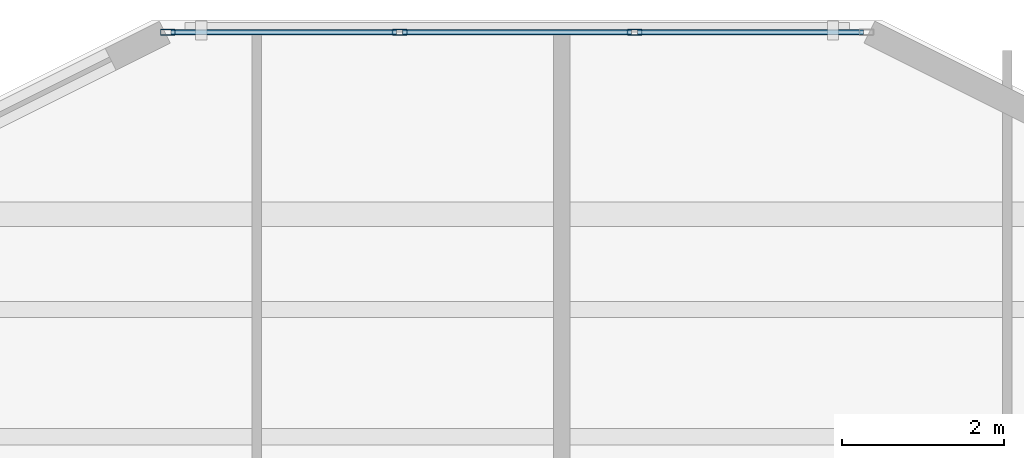
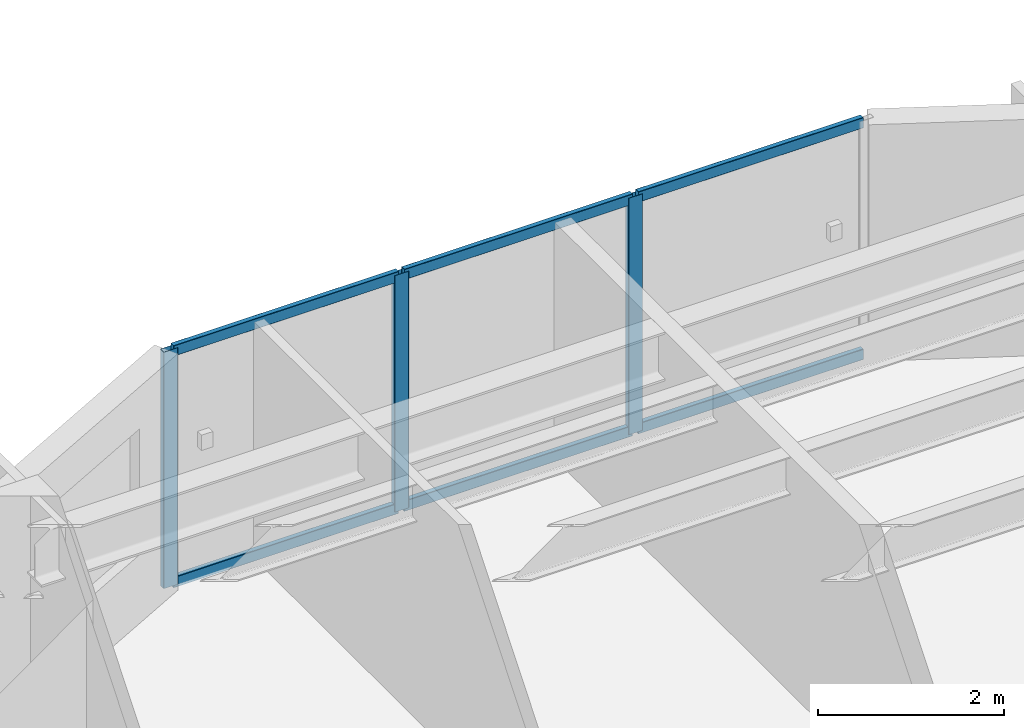
# One storey, part 6 of 22: 9 members, 1 element without a shape of its own.
"""IFC4 building model written with IfcOpenShell, lengths in metres."""

from ifc_helpers import new_model, si_unit, direction, frame, origin, origin_2d, place, context, subcontext, project, spatial, hollow_rectangle, extrude, material, layer, layer_set, material_profile, profile_set, type_object, element, aggregate, save


model = new_model("IFC4")

# Units and contexts
model_context = context("Model", 3, precision=1e-05, world=origin(), true_north=direction((0.0, 1.0)))
body_context = subcontext(model_context, "Body", "Model", "MODEL_VIEW")
ifc_project = project(units=[si_unit("LENGTHUNIT", "METRE"), si_unit("AREAUNIT", "SQUARE_METRE"), si_unit("VOLUMEUNIT", "CUBIC_METRE"), si_unit("PLANEANGLEUNIT", "RADIAN"), si_unit("MASSUNIT", "GRAM", prefix="KILO")], contexts=[model_context])

# Site, building, storey
site_placement = place(None, origin())
site = spatial("IfcSite", under=ifc_project, at=site_placement, CompositionType="ELEMENT")
building_placement = place(site_placement, origin())
building = spatial("IfcBuilding", under=site, at=building_placement, Name="Tarnavaz Court Tower", CompositionType="ELEMENT")
storey_placement = place(building_placement, frame((0.0, 0.0, 27.35009765625)))
storey = spatial("IfcBuildingStorey", under=building, at=storey_placement, Name="L06", CompositionType="ELEMENT", Elevation=27.35009765625)

# Curtain wall, members
ifc_material_1 = material(Name="Anodised Aluminium 6063-T6 and Solar Low-E Glazing", Category="aluminium")
ifc_layer = layer(ifc_material_1, 0.179931640625)
ifc_layer_set = layer_set([ifc_layer], Name="Anodised Aluminium 6063-T6 and Solar Low-E Glazing")
curtain_wall_type = type_object("IfcCurtainWallType", Name="CW-SYS-02", PredefinedType="NOTDEFINED", material=ifc_layer_set)
curtain_wall_placement = place(storey_placement, origin())
curtain_wall = element("IfcCurtainWall", 1, at=curtain_wall_placement, inside=storey, type_object=curtain_wall_type, Name="L06 Iwan Prow Curtain Wall 7", PredefinedType="NOTDEFINED")
ifc_material_2 = material(Name="Anodised Aluminium 6063-T6", Category="aluminium")
ifc_material_profile_1 = material_profile(ifc_material_2, hollow_rectangle(XDim=0.074951171875, YDim=0.179931640625, WallThickness=0.0048828125, InnerFilletRadius=0.0048828125, OuterFilletRadius=0.010009765625, at=origin_2d()), Name="ALU RHS 180X75X5")
ifc_profile_set_1 = profile_set([ifc_material_profile_1], Name="Anodised Aluminium 6063-T6")
member_type_1 = type_object("IfcMemberType", Name="CW-MUL-180", PredefinedType="MULLION", material=ifc_profile_set_1)
member_1_placement = place(storey_placement, frame((-4.3125, 25.050048828125, 0.0), z_axis=(0.0, 0.0, 1.0), x_axis=(0.0, 1.0, 0.0)))
member_1 = element("IfcMember", 2, at=member_1_placement, type_object=member_type_1, Name="CW mullion 1", PredefinedType="MULLION", context=body_context, shape_type="SweptSolid", body=[
    extrude(hollow_rectangle(XDim=0.074951171875, YDim=0.179931640625, WallThickness=0.0048828125, InnerFilletRadius=0.0048828125, OuterFilletRadius=0.010009765625, at=origin_2d()), origin(), (0.0, 0.0, 1.0), 3.099853515625),
])
member_2_placement = place(storey_placement, frame((-1.449951171875, 25.050048828125, 0.0), z_axis=(0.0, 0.0, 1.0), x_axis=(0.0, 1.0, 0.0)))
member_2 = element("IfcMember", 3, at=member_2_placement, type_object=member_type_1, Name="CW mullion 2", PredefinedType="MULLION", context=body_context, shape_type="SweptSolid", body=[
    extrude(hollow_rectangle(XDim=0.074951171875, YDim=0.179931640625, WallThickness=0.0048828125, InnerFilletRadius=0.0048828125, OuterFilletRadius=0.010009765625, at=origin_2d()), origin(), (0.0, 0.0, 1.0), 3.099853515625),
])
member_3_placement = place(storey_placement, frame((1.449951171875, 25.050048828125, 0.0), z_axis=(0.0, 0.0, 1.0), x_axis=(0.0, 1.0, 0.0)))
member_3 = element("IfcMember", 4, at=member_3_placement, type_object=member_type_1, Name="CW mullion 3", PredefinedType="MULLION", context=body_context, shape_type="SweptSolid", body=[
    extrude(hollow_rectangle(XDim=0.074951171875, YDim=0.179931640625, WallThickness=0.0048828125, InnerFilletRadius=0.0048828125, OuterFilletRadius=0.010009765625, at=origin_2d()), origin(), (0.0, 0.0, 1.0), 3.099853515625),
])
ifc_material_profile_2 = material_profile(ifc_material_2, hollow_rectangle(XDim=0.06494140625, YDim=0.139892578125, WallThickness=0.00390625, InnerFilletRadius=0.00390625, OuterFilletRadius=0.008056640625, at=origin_2d()), Name="ALU RHS 140X65X4")
ifc_profile_set_2 = profile_set([ifc_material_profile_2], Name="Anodised Aluminium 6063-T6")
member_type_2 = type_object("IfcMemberType", Name="CW-TRN-140", PredefinedType="USERDEFINED", material=ifc_profile_set_2)
member_4_placement = place(storey_placement, frame((-4.27490234375, 25.050048828125, 0.032470703125), z_axis=(1.0, 0.0, 0.0), x_axis=(0.0, 1.0, 0.0)))
member_4 = element("IfcMember", 5, at=member_4_placement, type_object=member_type_2, Name="CW transom 1.1", ObjectType="TRANSOM", PredefinedType="USERDEFINED", context=body_context, shape_type="SweptSolid", body=[
    extrude(hollow_rectangle(XDim=0.06494140625, YDim=0.139892578125, WallThickness=0.00390625, InnerFilletRadius=0.00390625, OuterFilletRadius=0.008056640625, at=origin_2d()), origin(), (0.0, 0.0, 1.0), 2.787353515625),
])
member_5_placement = place(storey_placement, frame((-4.27490234375, 25.050048828125, 3.0673828125), z_axis=(1.0, 0.0, 0.0), x_axis=(0.0, 1.0, 0.0)))
member_5 = element("IfcMember", 6, at=member_5_placement, type_object=member_type_2, Name="CW transom 1.2", ObjectType="TRANSOM", PredefinedType="USERDEFINED", context=body_context, shape_type="SweptSolid", body=[
    extrude(hollow_rectangle(XDim=0.06494140625, YDim=0.139892578125, WallThickness=0.00390625, InnerFilletRadius=0.00390625, OuterFilletRadius=0.008056640625, at=origin_2d()), origin(), (0.0, 0.0, 1.0), 2.787353515625),
])
member_6_placement = place(storey_placement, frame((-1.41259765625, 25.050048828125, 0.032470703125), z_axis=(1.0, 0.0, 0.0), x_axis=(0.0, 1.0, 0.0)))
member_6 = element("IfcMember", 7, at=member_6_placement, type_object=member_type_2, Name="CW transom 2.1", ObjectType="TRANSOM", PredefinedType="USERDEFINED", context=body_context, shape_type="SweptSolid", body=[
    extrude(hollow_rectangle(XDim=0.06494140625, YDim=0.139892578125, WallThickness=0.00390625, InnerFilletRadius=0.00390625, OuterFilletRadius=0.008056640625, at=origin_2d()), origin(), (0.0, 0.0, 1.0), 2.8251953125),
])
member_7_placement = place(storey_placement, frame((-1.41259765625, 25.050048828125, 3.0673828125), z_axis=(1.0, 0.0, 0.0), x_axis=(0.0, 1.0, 0.0)))
member_7 = element("IfcMember", 8, at=member_7_placement, type_object=member_type_2, Name="CW transom 2.2", ObjectType="TRANSOM", PredefinedType="USERDEFINED", context=body_context, shape_type="SweptSolid", body=[
    extrude(hollow_rectangle(XDim=0.06494140625, YDim=0.139892578125, WallThickness=0.00390625, InnerFilletRadius=0.00390625, OuterFilletRadius=0.008056640625, at=origin_2d()), origin(), (0.0, 0.0, 1.0), 2.8251953125),
])
member_8_placement = place(storey_placement, frame((1.487548828125, 25.050048828125, 0.032470703125), z_axis=(1.0, 0.0, 0.0), x_axis=(0.0, 1.0, 0.0)))
member_8 = element("IfcMember", 9, at=member_8_placement, type_object=member_type_2, Name="CW transom 3.1", ObjectType="TRANSOM", PredefinedType="USERDEFINED", context=body_context, shape_type="SweptSolid", body=[
    extrude(hollow_rectangle(XDim=0.06494140625, YDim=0.139892578125, WallThickness=0.00390625, InnerFilletRadius=0.00390625, OuterFilletRadius=0.008056640625, at=origin_2d()), origin(), (0.0, 0.0, 1.0), 2.787353515625),
])
member_9_placement = place(storey_placement, frame((1.487548828125, 25.050048828125, 3.0673828125), z_axis=(1.0, 0.0, 0.0), x_axis=(0.0, 1.0, 0.0)))
member_9 = element("IfcMember", 10, at=member_9_placement, type_object=member_type_2, Name="CW transom 3.2", ObjectType="TRANSOM", PredefinedType="USERDEFINED", context=body_context, shape_type="SweptSolid", body=[
    extrude(hollow_rectangle(XDim=0.06494140625, YDim=0.139892578125, WallThickness=0.00390625, InnerFilletRadius=0.00390625, OuterFilletRadius=0.008056640625, at=origin_2d()), origin(), (0.0, 0.0, 1.0), 2.787353515625),
])
aggregate(curtain_wall, [member_1, member_2, member_3, member_4, member_5, member_6, member_7, member_8, member_9])

save(model, "model.ifc")
